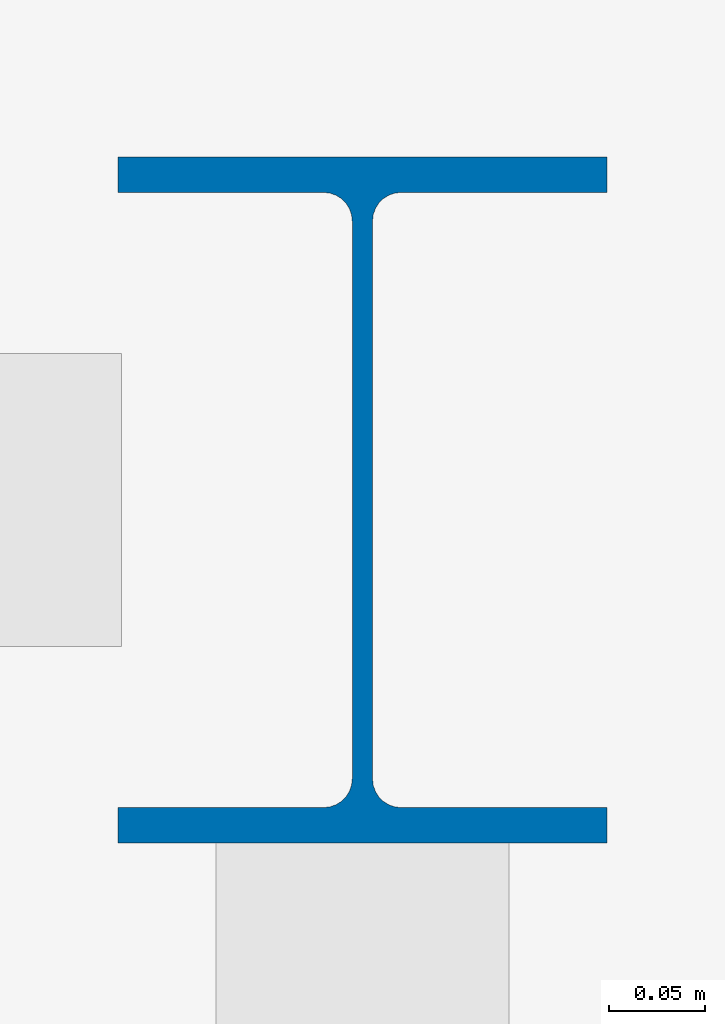
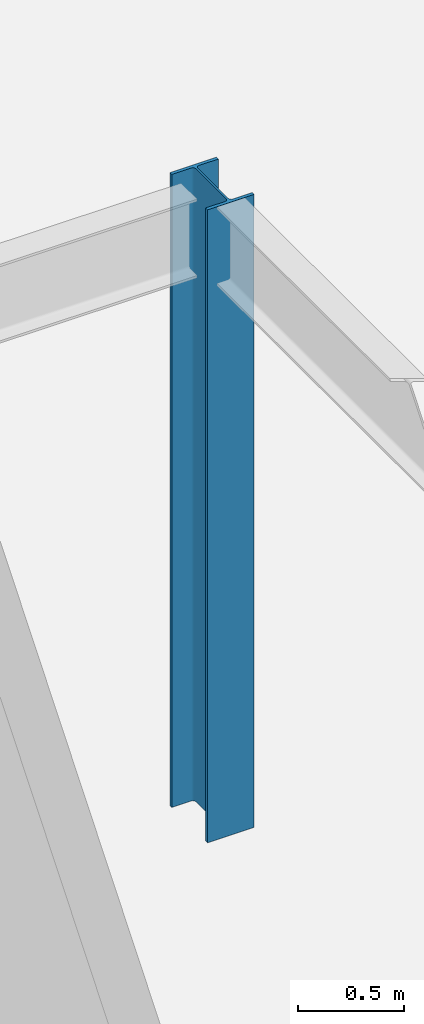
# One storey, part 13 of 52: 1 column.
"""IFC4 building model written with IfcOpenShell, lengths in metres."""

from ifc_helpers import new_model, si_unit, direction, frame, origin, origin_2d, place, context, subcontext, project, spatial, i_section, extrude, material, material_profile, profile_set, type_object, element, save


model = new_model("IFC4")

# Units and contexts
model_context = context("Model", 3, precision=1e-05, world=origin(), true_north=direction((0.0, 1.0)))
body_context = subcontext(model_context, "Body", "Model", "MODEL_VIEW")
ifc_project = project(units=[si_unit("LENGTHUNIT", "METRE"), si_unit("AREAUNIT", "SQUARE_METRE"), si_unit("VOLUMEUNIT", "CUBIC_METRE"), si_unit("PLANEANGLEUNIT", "RADIAN"), si_unit("MASSUNIT", "GRAM", prefix="KILO")], contexts=[model_context])

# Site, building, storey
site_placement = place(None, origin())
site = spatial("IfcSite", under=ifc_project, at=site_placement, CompositionType="ELEMENT")
building_placement = place(site_placement, origin())
building = spatial("IfcBuilding", under=site, at=building_placement, Name="Vaelcorin Mobility Hub", CompositionType="ELEMENT")
storey_placement = place(building_placement, frame((0.0, 0.0, 13.199951171875)))
storey = spatial("IfcBuildingStorey", under=building, at=storey_placement, Name="L03", CompositionType="ELEMENT", Elevation=13.199951171875)

# Column
ifc_material = material(Name="Steel ASTM A992 Grade 50", Category="steel")
ifc_material_profile = material_profile(ifc_material, i_section(OverallWidth=0.25390625, OverallDepth=0.35595703125, WebThickness=0.010498046875, FlangeThickness=0.018310546875, FilletRadius=0.014892578125, at=origin_2d()), Name="W14X68")
ifc_profile_set = profile_set([ifc_material_profile], Name="Steel ASTM A992 Grade 50")
column_type = type_object("IfcColumnType", Name="COL-W14X68", PredefinedType="COLUMN", material=ifc_profile_set)
column_placement = place(storey_placement, frame((175.199951171875, 105.60009765625, 0.0), z_axis=(0.0, 0.0, 1.0), x_axis=(1.0, 0.0, 0.0)))
element("IfcColumn", 1, at=column_placement, inside=storey, type_object=column_type, Name="Column V5-X04Y13 L03", PredefinedType="COLUMN", context=body_context, shape_type="SweptSolid", body=[
    extrude(i_section(OverallWidth=0.25390625, OverallDepth=0.35595703125, WebThickness=0.010498046875, FlangeThickness=0.018310546875, FilletRadius=0.014892578125, at=origin_2d()), origin(), (0.0, 0.0, 1.0), 3.66015625),
])

save(model, "model.ifc")
